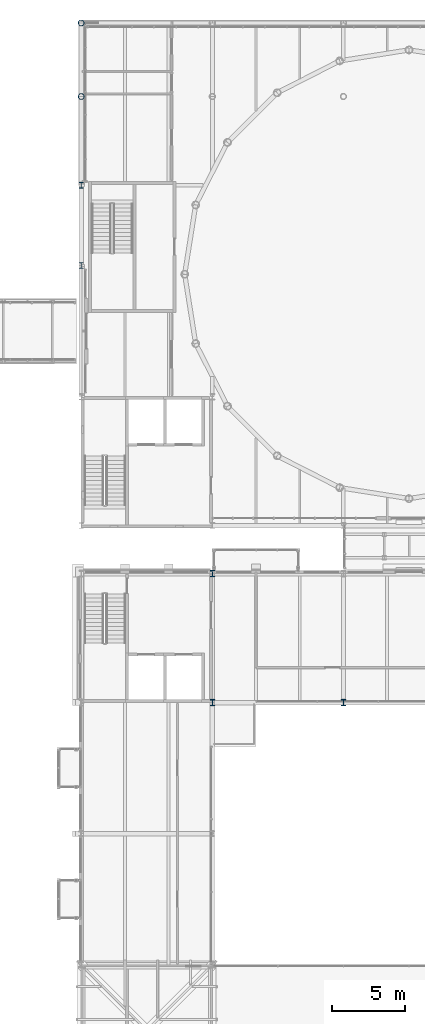
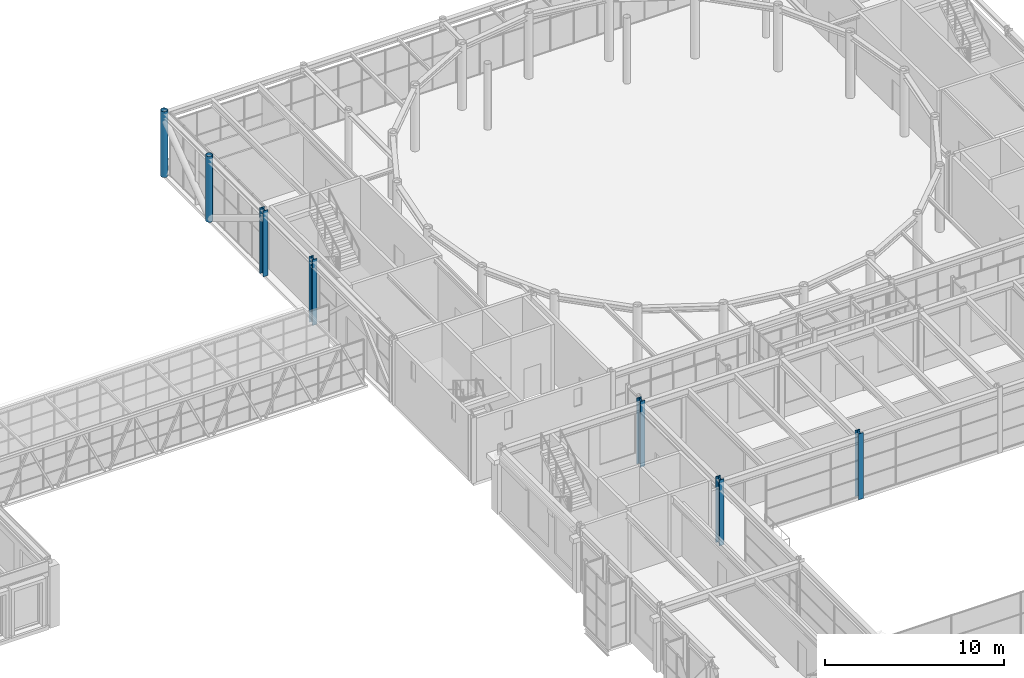
# One storey, part 9 of 149: 7 columns.
"""IFC4 building model written with IfcOpenShell, lengths in metres."""

from ifc_helpers import new_model, si_unit, direction, frame, origin, origin_2d, place, context, subcontext, project, spatial, hollow_circle, i_section, extrude, material, material_profile, profile_set, type_object, element, save


model = new_model("IFC4")

# Units and contexts
model_context = context("Model", 3, precision=1e-05, world=origin(), true_north=direction((0.0, 1.0)))
body_context = subcontext(model_context, "Body", "Model", "MODEL_VIEW")
ifc_project = project(units=[si_unit("LENGTHUNIT", "METRE"), si_unit("AREAUNIT", "SQUARE_METRE"), si_unit("VOLUMEUNIT", "CUBIC_METRE"), si_unit("PLANEANGLEUNIT", "RADIAN"), si_unit("MASSUNIT", "GRAM", prefix="KILO")], contexts=[model_context])

# Site, building, storey
site_placement = place(None, origin())
site = spatial("IfcSite", under=ifc_project, at=site_placement, CompositionType="ELEMENT")
building_placement = place(site_placement, origin())
building = spatial("IfcBuilding", under=site, at=building_placement, Name="Kallimachos Central Library", CompositionType="ELEMENT")
storey_placement = place(building_placement, frame((0.0, 0.0, 9.89990234375)))
storey = spatial("IfcBuildingStorey", under=building, at=storey_placement, Name="L02", CompositionType="ELEMENT", Elevation=9.89990234375)

# Columns
ifc_material_1 = material(Name="Steel S355J2H", Category="steel")
ifc_material_profile_1 = material_profile(ifc_material_1, hollow_circle(Radius=0.203125, WallThickness=0.01611328125, at=origin_2d()), Name="CHS 406.4x16")
ifc_profile_set_1 = profile_set([ifc_material_profile_1], Name="Steel S355J2H")
column_type_1 = type_object("IfcColumnType", Name="CHS 406.4x16 column", PredefinedType="COLUMN", material=ifc_profile_set_1)
for number, where, z_axis, x_axis, name in (
    (1, (65.5, 121.64990234375, 0.0), (0.0, 0.0, 1.0), (1.0, 0.0, 0.0), "V1-COL-L02-039"),
    (2, (65.5, 116.60009765625, 0.0), (0.0, 0.0, 1.0), (1.0, 0.0, 0.0), "V1-COL-L02-041"),
):
    element("IfcColumn", number, at=place(storey_placement, frame(where, z_axis=z_axis, x_axis=x_axis)), inside=storey, type_object=column_type_1, Name=name, PredefinedType="COLUMN", context=body_context, shape_type="SweptSolid", body=[
        extrude(hollow_circle(Radius=0.203125, WallThickness=0.01611328125, at=origin_2d()), origin(), (0.0, 0.0, 1.0), 4.5),
    ])
ifc_material_2 = material(Name="Steel S355J2", Category="steel")
ifc_material_profile_2 = material_profile(ifc_material_2, i_section(OverallWidth=0.300048828125, OverallDepth=0.39990234375, WebThickness=0.013427734375, FlangeThickness=0.02392578125, FilletRadius=0.027099609375, at=origin_2d()), Name="HEB 400")
ifc_profile_set_2 = profile_set([ifc_material_profile_2], Name="Steel S355J2")
column_type_2 = type_object("IfcColumnType", Name="HEB 400 column", PredefinedType="COLUMN", material=ifc_profile_set_2)
for number, where, z_axis, x_axis, name in (
    (3, (65.5, 105.0, 0.0), (0.0, 0.0, 1.0), (1.0, 0.0, 0.0), "V1-COL-L02-011"),
    (4, (65.5, 110.5, 0.0), (0.0, 0.0, 1.0), (1.0, 0.0, 0.0), "V1-COL-L02-013"),
):
    element("IfcColumn", number, at=place(storey_placement, frame(where, z_axis=z_axis, x_axis=x_axis)), inside=storey, type_object=column_type_2, Name=name, PredefinedType="COLUMN", context=body_context, shape_type="SweptSolid", body=[
        extrude(i_section(OverallWidth=0.300048828125, OverallDepth=0.39990234375, WebThickness=0.013427734375, FlangeThickness=0.02392578125, FilletRadius=0.027099609375, at=origin_2d()), origin(), (0.0, 0.0, 1.0), 4.5),
    ])
ifc_material_3 = material(Name="Steel S355J2", Category="steel")
ifc_material_profile_3 = material_profile(ifc_material_3, i_section(OverallWidth=0.306884765625, OverallDepth=0.431884765625, WebThickness=0.02099609375, FlangeThickness=0.0400390625, FilletRadius=0.027099609375, at=origin_2d()), Name="HEM 400")
ifc_profile_set_3 = profile_set([ifc_material_profile_3], Name="Steel S355J2")
column_type_3 = type_object("IfcColumnType", Name="HEM 400 column", PredefinedType="COLUMN", material=ifc_profile_set_3)
for number, where, z_axis, x_axis, name in (
    (5, (74.5, 75.0, 0.0), (0.0, 0.0, 1.0), (1.0, 0.0, 0.0), "V4-COL-L02-012"),
    (6, (83.5, 75.0, 0.0), (0.0, 0.0, 1.0), (1.0, 0.0, 0.0), "V4-COL-L02-013"),
    (7, (74.5, 83.85009765625, 0.0), (0.0, 0.0, 1.0), (1.0, 0.0, 0.0), "V4-COL-L02-018"),
):
    element("IfcColumn", number, at=place(storey_placement, frame(where, z_axis=z_axis, x_axis=x_axis)), inside=storey, type_object=column_type_3, Name=name, PredefinedType="COLUMN", context=body_context, shape_type="SweptSolid", body=[
        extrude(i_section(OverallWidth=0.306884765625, OverallDepth=0.431884765625, WebThickness=0.02099609375, FlangeThickness=0.0400390625, FilletRadius=0.027099609375, at=origin_2d()), origin(), (0.0, 0.0, 1.0), 4.5),
    ])

save(model, "model.ifc")
